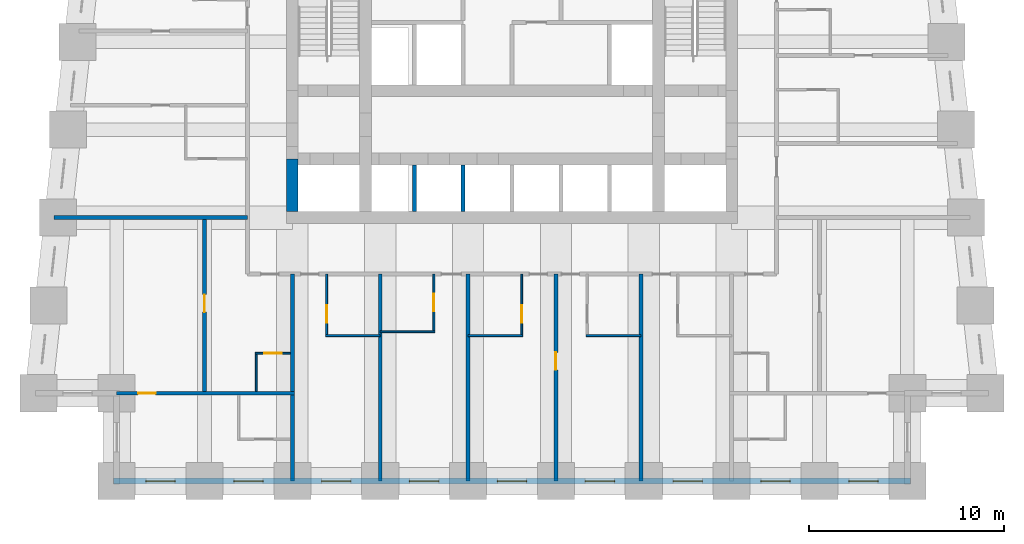
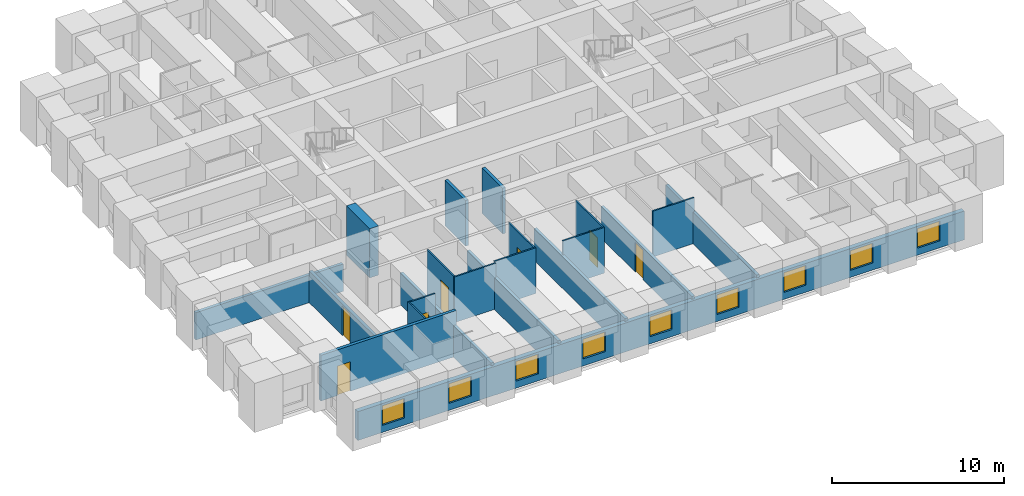
# One storey, part 2 of 8: 21 walls, 9 windows, 7 doors, 16 openings.
"""IFC4 building model written with IfcOpenShell, lengths in metres."""

import ifcopenshell
import ifcopenshell.guid

model = None  # the IFC model being written
_history = None  # IfcOwnerHistory: only IFC2X3 demands one
_inside = {}  # id of a spatial element -> (the spatial element, [elements in it])
_under = {}  # id of a project, library or spatial element -> (it, [spatial elements below it])
_declared = {}  # id of a project -> (the project, [libraries it declares])
_typed = {}  # id of a type object -> (the type object, [elements of that type])
_made_of = {}  # id of a material, layer set ... -> (it, [elements and type objects made of it])


def new_model(schema):
    """Start an empty IFC model of exactly this schema.

    Asked for "IFC4X3", IfcOpenShell would pick the latest addendum, in which some entities
    have other attributes; the version numbers below select the first issue.
    IFC2X3 requires an IfcOwnerHistory on every rooted entity: one is made here for all.
    """
    global model, _history
    if schema == "IFC4X3":
        model = ifcopenshell.file(schema_version=(4, 3, 0, 0))
    else:
        model = ifcopenshell.file(schema=schema)
    _inside.clear()
    _under.clear()
    _declared.clear()
    _typed.clear()
    _made_of.clear()
    _history = None
    if model.schema == "IFC2X3":
        org = make("IfcOrganization", Name="unknown")
        user = make(
            "IfcPersonAndOrganization",
            ThePerson=make("IfcPerson", FamilyName="unknown"),
            TheOrganization=org,
        )
        app = make(
            "IfcApplication",
            ApplicationDeveloper=org,
            Version="unknown",
            ApplicationFullName="unknown",
            ApplicationIdentifier="unknown",
        )
        _history = make(
            "IfcOwnerHistory",
            OwningUser=user,
            OwningApplication=app,
            ChangeAction="ADDED",
            CreationDate=0,
        )
    return model


def make(cls, **values):
    """One entity of the class cls with the attributes given. An attribute that is None is left unset."""
    return model.create_entity(
        cls, **{name: value for name, value in values.items() if value is not None}
    )


def rooted(cls, **values):
    """An entity with a GlobalId (a new one), such as an element, a storey or a relation."""
    return make(cls, GlobalId=ifcopenshell.guid.new(), OwnerHistory=_history, **values)


def si_unit(unit_type, name, prefix=None):
    """IfcSIUnit, for example si_unit("LENGTHUNIT", "METRE", prefix="MILLI")."""
    return make("IfcSIUnit", UnitType=unit_type, Prefix=prefix, Name=name)


def assignment(units):
    """IfcUnitAssignment: the units of a project."""
    return None if units is None else make("IfcUnitAssignment", Units=units)


def point(xyz):
    """IfcCartesianPoint."""
    return None if xyz is None else make("IfcCartesianPoint", Coordinates=xyz)


def direction(xyz):
    """IfcDirection."""
    return None if xyz is None else make("IfcDirection", DirectionRatios=xyz)


def frame(location, z_axis=None, x_axis=None):
    """IfcAxis2Placement3D, a coordinate frame: its origin and axes. An axis left out is left unset."""
    return make(
        "IfcAxis2Placement3D",
        Location=point(location),
        Axis=direction(z_axis),
        RefDirection=direction(x_axis),
    )


def frame_2d(location, x_axis=None):
    """IfcAxis2Placement2D, a coordinate frame in the plane: its origin and x axis."""
    return make(
        "IfcAxis2Placement2D", Location=point(location), RefDirection=direction(x_axis)
    )


def origin():
    """The frame at (0, 0, 0) with its axes left unset."""
    return frame((0.0, 0.0, 0.0))


def place(relative_to, where):
    """IfcLocalPlacement: puts the frame where relative to a parent placement (None: the world)."""
    return make(
        "IfcLocalPlacement", PlacementRelTo=relative_to, RelativePlacement=where
    )


def context(
    kind, dimensions, precision=None, world=None, true_north=None, identifier=None
):
    """IfcGeometricRepresentationContext, for example the 3D "Model" context."""
    return make(
        "IfcGeometricRepresentationContext",
        ContextIdentifier=identifier,
        ContextType=kind,
        CoordinateSpaceDimension=dimensions,
        Precision=precision,
        WorldCoordinateSystem=world,
        TrueNorth=true_north,
    )


def subcontext(parent, identifier, kind, view, scale=None):
    """IfcGeometricRepresentationSubContext, for example "Body" below "Model"."""
    return make(
        "IfcGeometricRepresentationSubContext",
        ContextIdentifier=identifier,
        ContextType=kind,
        ParentContext=parent,
        TargetScale=scale,
        TargetView=view,
    )


def project(units=None, contexts=None):
    """IfcProject with its units and contexts."""
    return rooted(
        "IfcProject",
        Name="project",
        RepresentationContexts=contexts,
        UnitsInContext=assignment(units),
    )


def spatial(cls, under=None, at=None, **own):
    """A site, building, storey or space (cls), placed at a placement, below another one or the project."""
    s = rooted(cls, ObjectPlacement=at, **own)
    if under is not None:
        _under.setdefault(under.id(), (under, []))[1].append(s)
    return s


def profile(cls, at=None, kind="AREA", **sizes):
    """A parametric profile (cls). Its sizes go by their IFC names, for example OverallWidth=200.0."""
    return make(cls, ProfileType=kind, Position=at, **sizes)


def rectangle(**sizes):
    """IfcRectangleProfileDef."""
    return profile("IfcRectangleProfileDef", **sizes)


def extrude(swept, where, along, depth):
    """IfcExtrudedAreaSolid: the profile swept, set in the frame where, extruded along a direction by depth."""
    return make(
        "IfcExtrudedAreaSolid",
        SweptArea=swept,
        Position=where,
        ExtrudedDirection=direction(along),
        Depth=depth,
    )


def shape(context_of_items, identifier, shape_type, items):
    """IfcShapeRepresentation: the items that make up one representation, for example the "Body"."""
    return make(
        "IfcShapeRepresentation",
        ContextOfItems=context_of_items,
        RepresentationIdentifier=identifier,
        RepresentationType=shape_type,
        Items=items,
    )


def material(Name=None, Category=None):
    """IfcMaterial."""
    return make("IfcMaterial", Name=Name, Category=Category)


def layer(
    of_material, thickness, ventilated=None, Name=None, Category=None, Priority=None
):
    """IfcMaterialLayer: one layer of a wall or slab, of a material (None: an air gap)."""
    return make(
        "IfcMaterialLayer",
        Material=of_material,
        LayerThickness=thickness,
        IsVentilated=ventilated,
        Name=Name,
        Category=Category,
        Priority=Priority,
    )


def layer_set(layers, Name=None):
    """IfcMaterialLayerSet."""
    return make("IfcMaterialLayerSet", MaterialLayers=layers, LayerSetName=Name)


def made_of(thing, what):
    """Note that an element or type object is made of a material, layer set ...; save() writes the relation."""
    if what is not None:
        _made_of.setdefault(what.id(), (what, []))[1].append(thing)
    return thing


def type_object(cls, material=None, **own):
    """A type object (cls), such as IfcWallType, which elements share."""
    return made_of(rooted(cls, **own), material)


def element(
    cls,
    number,
    at=None,
    inside=None,
    cuts=None,
    type_object=None,
    material=None,
    context=None,
    identifier="Body",
    shape_type=None,
    held_by="IfcProductDefinitionShape",
    body=None,
    shapes=None,
    **own,
):
    """One element of the class cls, such as IfcWall. Its Tag is "e" and its number.

    at: its placement. inside: the storey or other place that contains it. cuts: it is an
    opening in that element (IfcRelVoidsElement). A single representation is given by context,
    identifier, shape_type and body (its items); several are given by shapes. held_by: the class
    of the entity that holds the representations. save() writes the other relations.
    """
    e = rooted(cls, Tag="e%d" % number, ObjectPlacement=at, **own)
    if body is not None:
        shapes = [shape(context, identifier, shape_type, body)]
    if shapes is not None:
        e.Representation = make(held_by, Representations=shapes)
    if inside is not None:
        _inside.setdefault(inside.id(), (inside, []))[1].append(e)
    if cuts is not None:
        rooted(
            "IfcRelVoidsElement", RelatingBuildingElement=cuts, RelatedOpeningElement=e
        )
    if type_object is not None:
        _typed.setdefault(type_object.id(), (type_object, []))[1].append(e)
    return made_of(e, material)


def fill(opening, filler):
    """IfcRelFillsElement: the door or window that sits in an opening."""
    return rooted(
        "IfcRelFillsElement",
        RelatingOpeningElement=opening,
        RelatedBuildingElement=filler,
    )


def aggregate(whole, parts):
    """IfcRelAggregates: a whole, such as a stair, and the parts it consists of."""
    return rooted("IfcRelAggregates", RelatingObject=whole, RelatedObjects=parts)


def save(model, path):
    """Write the relations noted so far, then the file.

    IfcRelAggregates (storeys below a building ...), IfcRelContainedInSpatialStructure (elements
    in a storey), IfcRelDefinesByType, IfcRelAssociatesMaterial and IfcRelDeclares: one each for
    every whole, place, type object, material and project.
    """
    for whole, parts in _under.values():
        aggregate(whole, parts)
    for where, things in _inside.values():
        rooted(
            "IfcRelContainedInSpatialStructure",
            RelatedElements=things,
            RelatingStructure=where,
        )
    for kind, things in _typed.values():
        rooted("IfcRelDefinesByType", RelatedObjects=things, RelatingType=kind)
    for what, things in _made_of.values():
        rooted("IfcRelAssociatesMaterial", RelatedObjects=things, RelatingMaterial=what)
    for by, libraries in _declared.values():
        rooted("IfcRelDeclares", RelatingContext=by, RelatedDefinitions=libraries)
    model.write(path)


model = new_model("IFC4")

# Units and contexts
model_context = context("Model", 3, precision=1e-05, world=origin(), true_north=direction((0.0, 1.0)))
body_context = subcontext(model_context, "Body", "Model", "MODEL_VIEW")
ifc_project = project(units=[si_unit("LENGTHUNIT", "METRE"), si_unit("AREAUNIT", "SQUARE_METRE"), si_unit("VOLUMEUNIT", "CUBIC_METRE"), si_unit("PLANEANGLEUNIT", "RADIAN"), si_unit("MASSUNIT", "GRAM", prefix="KILO")], contexts=[model_context])

# Site, building, storey
site_placement = place(None, origin())
site = spatial("IfcSite", under=ifc_project, at=site_placement, CompositionType="ELEMENT")
building_placement = place(site_placement, origin())
building = spatial("IfcBuilding", under=site, at=building_placement, Name="Kilele Tower Hotel", CompositionType="ELEMENT")
storey_placement = place(building_placement, frame((0.0, 0.0, 64.699951171875)))
storey = spatial("IfcBuildingStorey", under=building, at=storey_placement, Name="L15", CompositionType="ELEMENT", Elevation=64.699951171875)

# Wall
ifc_material_1 = material(Name="Moisture-resistant board")
ifc_layer_1 = layer(ifc_material_1, 0.10009765625)
ifc_layer_set_1 = layer_set([ifc_layer_1], Name="Moisture-resistant board")
wall_type_1 = type_object("IfcWallType", Name="Bathroom partition 100", PredefinedType="PLUMBINGWALL", material=ifc_layer_set_1)
wall_1_placement = place(storey_placement, frame((15.199951171875, 7.449951171875, 0.0), z_axis=(0.0, 0.0, 1.0), x_axis=(1.0, 0.0, 0.0)))
element("IfcWall", 1, at=wall_1_placement, inside=storey, type_object=wall_type_1, Name="Bathroom partition 100 L15", PredefinedType="PLUMBINGWALL", context=body_context, shape_type="SweptSolid", body=[
    extrude(rectangle(XDim=2.800048828125, YDim=0.10009765625, at=frame_2d((1.39990234375, 0.0))), origin(), (0.0, 0.0, 1.0), 3.25),
])

# Wall, opening, door
wall_2_placement = place(storey_placement, frame((15.25, 10.60009765625, 0.0), z_axis=(0.0, 0.0, 1.0), x_axis=(0.0, -1.0, 0.0)))
wall_2 = element("IfcWall", 2, at=wall_2_placement, inside=storey, type_object=wall_type_1, Name="Bathroom partition 100 L15", PredefinedType="PLUMBINGWALL", context=body_context, shape_type="SweptSolid", body=[
    extrude(rectangle(XDim=3.2001953125, YDim=0.10009765625, at=frame_2d((1.60009765625, 0.0))), origin(), (0.0, 0.0, 1.0), 3.25),
])
opening_1_placement = place(wall_2_placement, frame((2.5, 0.0, 0.0), z_axis=(0.0, 0.0, 1.0), x_axis=(-1.0, 0.0, 0.0)))
opening_1 = element("IfcOpeningElement", 3, at=opening_1_placement, cuts=wall_2, Name="Opening D2A", PredefinedType="OPENING", context=body_context, shape_type="SweptSolid", body=[
    extrude(rectangle(XDim=0.89990234375, YDim=2.10009765625, at=frame_2d((0.449951171875, 1.050048828125))), frame((0.0, 0.06005859375, 0.0), z_axis=(0.0, -1.0, 0.0), x_axis=(1.0, 0.0, 0.0)), (0.0, 0.0, 1.0), 0.1201171875),
])
ifc_material_2 = material(Name="Timber door leaf in hardwood frame", Category="wood")
door_type_1 = type_object("IfcDoorType", Name="Bathroom door 900", OperationType="SINGLE_SWING_LEFT", PredefinedType="DOOR", material=ifc_material_2)
door_1_placement = place(opening_1_placement, origin())
door_1 = element("IfcDoor", 4, at=door_1_placement, inside=storey, type_object=door_type_1, Name="Bathroom door 1501B", OperationType="SINGLE_SWING_LEFT", OverallHeight=2.10009765625, OverallWidth=0.89990234375, PredefinedType="DOOR", context=body_context, shape_type="SweptSolid", body=[
    extrude(rectangle(XDim=0.89990234375, YDim=2.10009765625, at=frame_2d((0.449951171875, 1.050048828125))), frame((0.0, 0.02490234375, 0.0), z_axis=(0.0, -1.0, 0.0), x_axis=(1.0, 0.0, 0.0)), (0.0, 0.0, 1.0), 0.050048828125),
])
fill(opening_1, door_1)

# Wall
wall_3_placement = place(storey_placement, frame((18.0, 7.64990234375, 0.0), z_axis=(0.0, 0.0, 1.0), x_axis=(1.0, 0.0, 0.0)))
element("IfcWall", 5, at=wall_3_placement, inside=storey, type_object=wall_type_1, Name="Bathroom partition 100 L15", PredefinedType="PLUMBINGWALL", context=body_context, shape_type="SweptSolid", body=[
    extrude(rectangle(XDim=2.800048828125, YDim=0.10009765625, at=frame_2d((1.39990234375, 0.0))), origin(), (0.0, 0.0, 1.0), 3.25),
])

# Wall, opening, door
wall_4_placement = place(storey_placement, frame((20.75, 10.60009765625, 0.0), z_axis=(0.0, 0.0, 1.0), x_axis=(0.0, -1.0, 0.0)))
wall_4 = element("IfcWall", 6, at=wall_4_placement, inside=storey, type_object=wall_type_1, Name="Bathroom partition 100 L15", PredefinedType="PLUMBINGWALL", context=body_context, shape_type="SweptSolid", body=[
    extrude(rectangle(XDim=3.0, YDim=0.10009765625, at=frame_2d((1.5, 0.0))), origin(), (0.0, 0.0, 1.0), 3.25),
])
opening_2_placement = place(wall_4_placement, frame((1.0, 0.0, 0.0)))
opening_2 = element("IfcOpeningElement", 7, at=opening_2_placement, cuts=wall_4, Name="Opening D2A", PredefinedType="OPENING", context=body_context, shape_type="SweptSolid", body=[
    extrude(rectangle(XDim=0.89990234375, YDim=2.10009765625, at=frame_2d((0.449951171875, 1.050048828125))), frame((0.0, 0.06005859375, 0.0), z_axis=(0.0, -1.0, 0.0), x_axis=(1.0, 0.0, 0.0)), (0.0, 0.0, 1.0), 0.1201171875),
])
door_2_placement = place(opening_2_placement, origin())
door_2 = element("IfcDoor", 8, at=door_2_placement, inside=storey, type_object=door_type_1, Name="Bathroom door 1502B", OperationType="SINGLE_SWING_LEFT", OverallHeight=2.10009765625, OverallWidth=0.89990234375, PredefinedType="DOOR", context=body_context, shape_type="SweptSolid", body=[
    extrude(rectangle(XDim=0.89990234375, YDim=2.10009765625, at=frame_2d((0.449951171875, 1.050048828125))), frame((0.0, 0.02490234375, 0.0), z_axis=(0.0, -1.0, 0.0), x_axis=(1.0, 0.0, 0.0)), (0.0, 0.0, 1.0), 0.050048828125),
])
fill(opening_2, door_2)

# Wall
wall_5_placement = place(storey_placement, frame((22.5, 7.449951171875, 0.0), z_axis=(0.0, 0.0, 1.0), x_axis=(1.0, 0.0, 0.0)))
element("IfcWall", 9, at=wall_5_placement, inside=storey, type_object=wall_type_1, Name="Bathroom partition 100 L15", PredefinedType="PLUMBINGWALL", context=body_context, shape_type="SweptSolid", body=[
    extrude(rectangle(XDim=2.800048828125, YDim=0.10009765625, at=frame_2d((1.39990234375, 0.0))), origin(), (0.0, 0.0, 1.0), 3.25),
])

# Wall, opening, door
wall_6_placement = place(storey_placement, frame((25.25, 10.60009765625, 0.0), z_axis=(0.0, 0.0, 1.0), x_axis=(0.0, -1.0, 0.0)))
wall_6 = element("IfcWall", 10, at=wall_6_placement, inside=storey, type_object=wall_type_1, Name="Bathroom partition 100 L15", PredefinedType="PLUMBINGWALL", context=body_context, shape_type="SweptSolid", body=[
    extrude(rectangle(XDim=3.2001953125, YDim=0.10009765625, at=frame_2d((1.60009765625, 0.0))), origin(), (0.0, 0.0, 1.0), 3.25),
])
opening_3_placement = place(wall_6_placement, frame((1.60009765625, 0.0, 0.0)))
opening_3 = element("IfcOpeningElement", 11, at=opening_3_placement, cuts=wall_6, Name="Opening D2A", PredefinedType="OPENING", context=body_context, shape_type="SweptSolid", body=[
    extrude(rectangle(XDim=0.89990234375, YDim=2.10009765625, at=frame_2d((0.449951171875, 1.050048828125))), frame((0.0, 0.06005859375, 0.0), z_axis=(0.0, -1.0, 0.0), x_axis=(1.0, 0.0, 0.0)), (0.0, 0.0, 1.0), 0.1201171875),
])
door_3_placement = place(opening_3_placement, origin())
door_3 = element("IfcDoor", 12, at=door_3_placement, inside=storey, type_object=door_type_1, Name="Bathroom door 1503B", OperationType="SINGLE_SWING_RIGHT", OverallHeight=2.10009765625, OverallWidth=0.89990234375, PredefinedType="DOOR", context=body_context, shape_type="SweptSolid", body=[
    extrude(rectangle(XDim=0.89990234375, YDim=2.10009765625, at=frame_2d((0.449951171875, 1.050048828125))), frame((0.0, 0.02490234375, 0.0), z_axis=(0.0, -1.0, 0.0), x_axis=(1.0, 0.0, 0.0)), (0.0, 0.0, 1.0), 0.050048828125),
])
fill(opening_3, door_3)

# Walls
wall_7_placement = place(storey_placement, frame((28.550048828125, 7.449951171875, 0.0), z_axis=(0.0, 0.0, 1.0), x_axis=(1.0, 0.0, 0.0)))
element("IfcWall", 13, at=wall_7_placement, inside=storey, type_object=wall_type_1, Name="Bathroom partition 100 L15", PredefinedType="PLUMBINGWALL", context=body_context, shape_type="SweptSolid", body=[
    extrude(rectangle(XDim=2.800048828125, YDim=0.10009765625, at=frame_2d((1.39990234375, 0.0))), origin(), (0.0, 0.0, 1.0), 3.25),
])
wall_8_placement = place(storey_placement, frame((11.64990234375, 4.60009765625, 0.0), z_axis=(0.0, 0.0, 1.0), x_axis=(0.0, 1.0, 0.0)))
element("IfcWall", 14, at=wall_8_placement, inside=storey, type_object=wall_type_1, Name="Bathroom partition 100 L15", PredefinedType="PLUMBINGWALL", context=body_context, shape_type="SweptSolid", body=[
    extrude(rectangle(XDim=2.0, YDim=0.10009765625, at=frame_2d((1.0, 0.0))), origin(), (0.0, 0.0, 1.0), 3.25),
])

# Wall, opening, door
wall_9_placement = place(storey_placement, frame((13.39990234375, 6.550048828125, 0.0), z_axis=(0.0, 0.0, 1.0), x_axis=(-1.0, 0.0, 0.0)))
wall_9 = element("IfcWall", 15, at=wall_9_placement, inside=storey, type_object=wall_type_1, Name="Bathroom partition 100 L15", PredefinedType="PLUMBINGWALL", context=body_context, shape_type="SweptSolid", body=[
    extrude(rectangle(XDim=1.7998046875, YDim=0.10009765625, at=frame_2d((0.89990234375, 0.0))), origin(), (0.0, 0.0, 1.0), 3.25),
])
opening_4_placement = place(wall_9_placement, frame((1.349853515625, 0.0, 0.0), z_axis=(0.0, 0.0, 1.0), x_axis=(-1.0, 0.0, 0.0)))
opening_4 = element("IfcOpeningElement", 16, at=opening_4_placement, cuts=wall_9, Name="Opening D2A", PredefinedType="OPENING", context=body_context, shape_type="SweptSolid", body=[
    extrude(rectangle(XDim=0.89990234375, YDim=2.10009765625, at=frame_2d((0.449951171875, 1.050048828125))), frame((0.0, 0.06005859375, 0.0), z_axis=(0.0, -1.0, 0.0), x_axis=(1.0, 0.0, 0.0)), (0.0, 0.0, 1.0), 0.1201171875),
])
door_4_placement = place(opening_4_placement, origin())
door_4 = element("IfcDoor", 17, at=door_4_placement, inside=storey, type_object=door_type_1, Name="Bathroom door 1517P", OperationType="SINGLE_SWING_RIGHT", OverallHeight=2.10009765625, OverallWidth=0.89990234375, PredefinedType="DOOR", context=body_context, shape_type="SweptSolid", body=[
    extrude(rectangle(XDim=0.89990234375, YDim=2.10009765625, at=frame_2d((0.449951171875, 1.050048828125))), frame((0.0, 0.02490234375, 0.0), z_axis=(0.0, -1.0, 0.0), x_axis=(1.0, 0.0, 0.0)), (0.0, 0.0, 1.0), 0.050048828125),
])
fill(opening_4, door_4)

# Wall
ifc_material_3 = material(Name="Concrete C60/75", Category="concrete")
ifc_layer_2 = layer(ifc_material_3, 0.60009765625)
ifc_layer_set_2 = layer_set([ifc_layer_2], Name="Concrete C60/75")
wall_type_2 = type_object("IfcWallType", Name="Core wall 600 C60/75", PredefinedType="SHEAR", material=ifc_layer_set_2)
wall_10_placement = place(storey_placement, frame((13.5, 16.5, 0.0), z_axis=(0.0, 0.0, 1.0), x_axis=(0.0, -1.0, 0.0)))
element("IfcWall", 18, at=wall_10_placement, inside=storey, type_object=wall_type_2, Name="Core wall W3 L15", PredefinedType="SHEAR", context=body_context, shape_type="SweptSolid", body=[
    extrude(rectangle(XDim=2.699951171875, YDim=0.60009765625, at=frame_2d((1.35009765625, 0.0))), origin(), (0.0, 0.0, 1.0), 3.5),
])

# Wall, opening, door
ifc_material_4 = material(Name="Blockwork, plastered both sides", Category="masonry")
ifc_layer_3 = layer(ifc_material_4, 0.199951171875)
ifc_layer_set_3 = layer_set([ifc_layer_3], Name="Blockwork, plastered both sides")
wall_type_3 = type_object("IfcWallType", Name="Partition wall 200", PredefinedType="PARTITIONING", material=ifc_layer_set_3)
wall_11_placement = place(storey_placement, frame((9.0, 4.60009765625, 0.0), z_axis=(0.0, 0.0, 1.0), x_axis=(0.0, 1.0, 0.0)))
wall_11 = element("IfcWall", 19, at=wall_11_placement, inside=storey, type_object=wall_type_3, Name="Partition wall 200 L15", PredefinedType="PARTITIONING", context=body_context, shape_type="SweptSolid", body=[
    extrude(rectangle(XDim=8.7998046875, YDim=0.199951171875, at=frame_2d((4.39990234375, 0.0))), origin(), (0.0, 0.0, 1.0), 2.25),
])
opening_5_placement = place(wall_11_placement, frame((4.050048828125, 0.0, 0.0)))
opening_5 = element("IfcOpeningElement", 20, at=opening_5_placement, cuts=wall_11, Name="Opening D3", PredefinedType="OPENING", context=body_context, shape_type="SweptSolid", body=[
    extrude(rectangle(XDim=0.89990234375, YDim=2.10009765625, at=frame_2d((0.449951171875, 1.050048828125))), frame((0.0, 0.10986328125, 0.0), z_axis=(0.0, -1.0, 0.0), x_axis=(1.0, 0.0, 0.0)), (0.0, 0.0, 1.0), 0.219970703125),
])
ifc_material_5 = material(Name="Timber door leaf in hardwood frame", Category="wood")
door_type_2 = type_object("IfcDoorType", Name="Suite internal door 900", OperationType="SINGLE_SWING_LEFT", PredefinedType="DOOR", material=ifc_material_5)
door_5_placement = place(opening_5_placement, origin())
door_5 = element("IfcDoor", 21, at=door_5_placement, inside=storey, type_object=door_type_2, Name="Suite door 1518", OperationType="SINGLE_SWING_RIGHT", OverallHeight=2.10009765625, OverallWidth=0.89990234375, PredefinedType="DOOR", context=body_context, shape_type="SweptSolid", body=[
    extrude(rectangle(XDim=0.89990234375, YDim=2.10009765625, at=frame_2d((0.449951171875, 1.050048828125))), frame((0.0, 0.02490234375, 0.0), z_axis=(0.0, -1.0, 0.0), x_axis=(1.0, 0.0, 0.0)), (0.0, 0.0, 1.0), 0.050048828125),
])
fill(opening_5, door_5)

# Walls
ifc_material_6 = material(Name="Blockwork, plastered both sides", Category="masonry")
ifc_layer_4 = layer(ifc_material_6, 0.199951171875)
ifc_layer_set_4 = layer_set([ifc_layer_4], Name="Blockwork, plastered both sides")
wall_type_4 = type_object("IfcWallType", Name="Party wall 200", PredefinedType="PARTITIONING", material=ifc_layer_set_4)
for number, where, z_axis, x_axis, name in (
    (22, (18.0, 10.60009765625, 0.0), (0.0, 0.0, 1.0), (0.0, -1.0, 0.0), "Party wall 200 L15"),
    (23, (22.5, 10.60009765625, 0.0), (0.0, 0.0, 1.0), (0.0, -1.0, 0.0), "Party wall 200 L15"),
):
    element("IfcWall", number, at=place(storey_placement, frame(where, z_axis=z_axis, x_axis=x_axis)), inside=storey, type_object=wall_type_4, Name=name, PredefinedType="PARTITIONING", context=body_context, shape_type="SweptSolid", body=[
        extrude(rectangle(XDim=10.60009765625, YDim=0.199951171875, at=frame_2d((5.300048828125, 0.0))), origin(), (0.0, 0.0, 1.0), 2.25),
    ])

# Wall, opening, door
wall_12_placement = place(storey_placement, frame((27.0, 10.60009765625, 0.0), z_axis=(0.0, 0.0, 1.0), x_axis=(0.0, -1.0, 0.0)))
wall_12 = element("IfcWall", 24, at=wall_12_placement, inside=storey, type_object=wall_type_4, Name="Party wall 200 L15", PredefinedType="PARTITIONING", context=body_context, shape_type="SweptSolid", body=[
    extrude(rectangle(XDim=10.60009765625, YDim=0.199951171875, at=frame_2d((5.300048828125, 0.0))), origin(), (0.0, 0.0, 1.0), 2.25),
])
opening_6_placement = place(wall_12_placement, frame((4.0, 0.0, 0.0)))
opening_6 = element("IfcOpeningElement", 25, at=opening_6_placement, cuts=wall_12, Name="Opening D3C", PredefinedType="OPENING", context=body_context, shape_type="SweptSolid", body=[
    extrude(rectangle(XDim=0.89990234375, YDim=2.10009765625, at=frame_2d((0.449951171875, 1.050048828125))), frame((0.0, 0.10986328125, 0.0), z_axis=(0.0, -1.0, 0.0), x_axis=(1.0, 0.0, 0.0)), (0.0, 0.0, 1.0), 0.219970703125),
])
ifc_material_7 = material(Name="Timber door leaf in hardwood frame", Category="wood")
door_type_3 = type_object("IfcDoorType", Name="Connecting door 900", OperationType="SINGLE_SWING_LEFT", PredefinedType="DOOR", material=ifc_material_7)
door_6_placement = place(opening_6_placement, origin())
door_6 = element("IfcDoor", 26, at=door_6_placement, inside=storey, type_object=door_type_3, Name="Connecting door 1504", OperationType="SINGLE_SWING_LEFT", OverallHeight=2.10009765625, OverallWidth=0.89990234375, PredefinedType="DOOR", context=body_context, shape_type="SweptSolid", body=[
    extrude(rectangle(XDim=0.89990234375, YDim=2.10009765625, at=frame_2d((0.449951171875, 1.050048828125))), frame((0.0, 0.02490234375, 0.0), z_axis=(0.0, -1.0, 0.0), x_axis=(1.0, 0.0, 0.0)), (0.0, 0.0, 1.0), 0.050048828125),
])
fill(opening_6, door_6)

# Walls
wall_13_placement = place(storey_placement, frame((31.35009765625, 10.60009765625, 0.0), z_axis=(0.0, 0.0, 1.0), x_axis=(0.0, -1.0, 0.0)))
element("IfcWall", 27, at=wall_13_placement, inside=storey, type_object=wall_type_4, Name="Party wall 200 L15", PredefinedType="PARTITIONING", context=body_context, shape_type="SweptSolid", body=[
    extrude(rectangle(XDim=10.60009765625, YDim=0.199951171875, at=frame_2d((5.300048828125, 0.0))), origin(), (0.0, 0.0, 1.0), 2.25),
])
wall_14_placement = place(storey_placement, frame((11.199951171875, 13.5, 0.0), z_axis=(0.0, 0.0, 1.0), x_axis=(-1.0, 0.0, 0.0)))
element("IfcWall", 28, at=wall_14_placement, inside=storey, type_object=wall_type_4, Name="Party wall 200 L15", PredefinedType="PARTITIONING", context=body_context, shape_type="SweptSolid", body=[
    extrude(rectangle(XDim=9.921142578125, YDim=0.199951171875, at=frame_2d((4.96044921875, 0.0))), origin(), (0.0, 0.0, 1.0), 1.949951171875),
])
wall_15_placement = place(storey_placement, frame((13.5, 10.60009765625, 0.0), z_axis=(0.0, 0.0, 1.0), x_axis=(0.0, -1.0, 0.0)))
element("IfcWall", 29, at=wall_15_placement, inside=storey, type_object=wall_type_4, Name="Party wall 200 L15", PredefinedType="PARTITIONING", context=body_context, shape_type="SweptSolid", body=[
    extrude(rectangle(XDim=10.60009765625, YDim=0.199951171875, at=frame_2d((5.300048828125, 0.0))), origin(), (0.0, 0.0, 1.0), 2.25),
])

# Wall, opening, door
wall_16_placement = place(storey_placement, frame((13.60009765625, 4.5, 0.0), z_axis=(0.0, 0.0, 1.0), x_axis=(-1.0, 0.0, 0.0)))
wall_16 = element("IfcWall", 30, at=wall_16_placement, inside=storey, type_object=wall_type_4, Name="Party wall 200 L15", PredefinedType="PARTITIONING", context=body_context, shape_type="SweptSolid", body=[
    extrude(rectangle(XDim=9.10009765625, YDim=0.199951171875, at=frame_2d((4.550048828125, 0.0))), origin(), (0.0, 0.0, 1.0), 3.25),
])
opening_7_placement = place(wall_16_placement, frame((7.10009765625, 0.0, 0.0)))
opening_7 = element("IfcOpeningElement", 31, at=opening_7_placement, cuts=wall_16, Name="Opening D3", PredefinedType="OPENING", context=body_context, shape_type="SweptSolid", body=[
    extrude(rectangle(XDim=0.89990234375, YDim=2.10009765625, at=frame_2d((0.449951171875, 1.050048828125))), frame((0.0, 0.10986328125, 0.0), z_axis=(0.0, -1.0, 0.0), x_axis=(1.0, 0.0, 0.0)), (0.0, 0.0, 1.0), 0.219970703125),
])
door_7_placement = place(opening_7_placement, origin())
door_7 = element("IfcDoor", 32, at=door_7_placement, inside=storey, type_object=door_type_2, Name="Suite door 1519", OperationType="SINGLE_SWING_RIGHT", OverallHeight=2.10009765625, OverallWidth=0.89990234375, PredefinedType="DOOR", context=body_context, shape_type="SweptSolid", body=[
    extrude(rectangle(XDim=0.89990234375, YDim=2.10009765625, at=frame_2d((0.449951171875, 1.050048828125))), frame((0.0, 0.02490234375, 0.0), z_axis=(0.0, -1.0, 0.0), x_axis=(1.0, 0.0, 0.0)), (0.0, 0.0, 1.0), 0.050048828125),
])
fill(opening_7, door_7)

# Wall, openings, windows
ifc_material_8 = material(Name="Concrete C40/50 precast", Category="concrete")
ifc_layer_5 = layer(ifc_material_8, 0.260009765625, Name="Precast backing", Category="LoadBearing")
ifc_material_9 = material(Name="Reconstituted stone finish", Category="masonry")
ifc_layer_6 = layer(ifc_material_9, 0.0400390625, Name="Face mix", Category="Finish")
ifc_layer_set_5 = layer_set([ifc_layer_5, ifc_layer_6], Name="Precast concrete C40/50, reconstituted stone finish")
wall_type_5 = type_object("IfcWallType", Name="Precast stone facade wall 300", PredefinedType="STANDARD", material=ifc_layer_set_5)
wall_17_placement = place(storey_placement, frame((4.35009765625, 0.0, 0.0), z_axis=(0.0, 0.0, 1.0), x_axis=(1.0, 0.0, 0.0)))
wall_17 = element("IfcWall", 33, at=wall_17_placement, inside=storey, type_object=wall_type_5, Name="Facade wall L15 edge 3", PredefinedType="STANDARD", context=body_context, shape_type="SweptSolid", body=[
    extrude(rectangle(XDim=40.7998046875, YDim=0.300048828125, at=frame_2d((20.39990234375, 0.0))), origin(), (0.0, 0.0, 1.0), 2.050048828125),
])
opening_8_placement = place(wall_17_placement, frame((1.64990234375, 0.0, 0.5)))
opening_8 = element("IfcOpeningElement", 34, at=opening_8_placement, cuts=wall_17, Name="Opening W1", PredefinedType="OPENING", context=body_context, shape_type="SweptSolid", body=[
    extrude(rectangle(XDim=1.5, YDim=1.39990234375, at=frame_2d((0.75, 0.699951171875))), frame((0.0, 0.159912109375, 0.0), z_axis=(0.0, -1.0, 0.0), x_axis=(1.0, 0.0, 0.0)), (0.0, 0.0, 1.0), 0.320068359375),
])
opening_9_placement = place(wall_17_placement, frame((6.14990234375, 0.0, 0.5)))
opening_9 = element("IfcOpeningElement", 35, at=opening_9_placement, cuts=wall_17, Name="Opening W1", PredefinedType="OPENING", context=body_context, shape_type="SweptSolid", body=[
    extrude(rectangle(XDim=1.5, YDim=1.39990234375, at=frame_2d((0.75, 0.699951171875))), frame((0.0, 0.159912109375, 0.0), z_axis=(0.0, -1.0, 0.0), x_axis=(1.0, 0.0, 0.0)), (0.0, 0.0, 1.0), 0.320068359375),
])
opening_10_placement = place(wall_17_placement, frame((10.64990234375, 0.0, 0.5)))
opening_10 = element("IfcOpeningElement", 36, at=opening_10_placement, cuts=wall_17, Name="Opening W1", PredefinedType="OPENING", context=body_context, shape_type="SweptSolid", body=[
    extrude(rectangle(XDim=1.5, YDim=1.39990234375, at=frame_2d((0.75, 0.699951171875))), frame((0.0, 0.159912109375, 0.0), z_axis=(0.0, -1.0, 0.0), x_axis=(1.0, 0.0, 0.0)), (0.0, 0.0, 1.0), 0.320068359375),
])
opening_11_placement = place(wall_17_placement, frame((15.14990234375, 0.0, 0.5)))
opening_11 = element("IfcOpeningElement", 37, at=opening_11_placement, cuts=wall_17, Name="Opening W1", PredefinedType="OPENING", context=body_context, shape_type="SweptSolid", body=[
    extrude(rectangle(XDim=1.5, YDim=1.39990234375, at=frame_2d((0.75, 0.699951171875))), frame((0.0, 0.159912109375, 0.0), z_axis=(0.0, -1.0, 0.0), x_axis=(1.0, 0.0, 0.0)), (0.0, 0.0, 1.0), 0.320068359375),
])
opening_12_placement = place(wall_17_placement, frame((19.64990234375, 0.0, 0.5)))
opening_12 = element("IfcOpeningElement", 38, at=opening_12_placement, cuts=wall_17, Name="Opening W1", PredefinedType="OPENING", context=body_context, shape_type="SweptSolid", body=[
    extrude(rectangle(XDim=1.5, YDim=1.39990234375, at=frame_2d((0.75, 0.699951171875))), frame((0.0, 0.159912109375, 0.0), z_axis=(0.0, -1.0, 0.0), x_axis=(1.0, 0.0, 0.0)), (0.0, 0.0, 1.0), 0.320068359375),
])
opening_13_placement = place(wall_17_placement, frame((24.14990234375, 0.0, 0.5)))
opening_13 = element("IfcOpeningElement", 39, at=opening_13_placement, cuts=wall_17, Name="Opening W1", PredefinedType="OPENING", context=body_context, shape_type="SweptSolid", body=[
    extrude(rectangle(XDim=1.5, YDim=1.39990234375, at=frame_2d((0.75, 0.699951171875))), frame((0.0, 0.159912109375, 0.0), z_axis=(0.0, -1.0, 0.0), x_axis=(1.0, 0.0, 0.0)), (0.0, 0.0, 1.0), 0.320068359375),
])
opening_14_placement = place(wall_17_placement, frame((28.64990234375, 0.0, 0.5)))
opening_14 = element("IfcOpeningElement", 40, at=opening_14_placement, cuts=wall_17, Name="Opening W1", PredefinedType="OPENING", context=body_context, shape_type="SweptSolid", body=[
    extrude(rectangle(XDim=1.5, YDim=1.39990234375, at=frame_2d((0.75, 0.699951171875))), frame((0.0, 0.159912109375, 0.0), z_axis=(0.0, -1.0, 0.0), x_axis=(1.0, 0.0, 0.0)), (0.0, 0.0, 1.0), 0.320068359375),
])
opening_15_placement = place(wall_17_placement, frame((33.14990234375, 0.0, 0.5)))
opening_15 = element("IfcOpeningElement", 41, at=opening_15_placement, cuts=wall_17, Name="Opening W1", PredefinedType="OPENING", context=body_context, shape_type="SweptSolid", body=[
    extrude(rectangle(XDim=1.5, YDim=1.39990234375, at=frame_2d((0.75, 0.699951171875))), frame((0.0, 0.159912109375, 0.0), z_axis=(0.0, -1.0, 0.0), x_axis=(1.0, 0.0, 0.0)), (0.0, 0.0, 1.0), 0.320068359375),
])
opening_16_placement = place(wall_17_placement, frame((37.64990234375, 0.0, 0.5)))
opening_16 = element("IfcOpeningElement", 42, at=opening_16_placement, cuts=wall_17, Name="Opening W1", PredefinedType="OPENING", context=body_context, shape_type="SweptSolid", body=[
    extrude(rectangle(XDim=1.5, YDim=1.39990234375, at=frame_2d((0.75, 0.699951171875))), frame((0.0, 0.159912109375, 0.0), z_axis=(0.0, -1.0, 0.0), x_axis=(1.0, 0.0, 0.0)), (0.0, 0.0, 1.0), 0.320068359375),
])
ifc_material_10 = material(Name="Aluminium frame, clear double glazing", Category="aluminium")
window_type = type_object("IfcWindowType", Name="Window W1 1500 x 1400", PartitioningType="SINGLE_PANEL", PredefinedType="WINDOW", material=ifc_material_10)
window_1_placement = place(opening_8_placement, origin())
window_1 = element("IfcWindow", 43, at=window_1_placement, inside=storey, type_object=window_type, Name="Window L15", OverallHeight=1.39990234375, OverallWidth=1.5, PartitioningType="SINGLE_PANEL", PredefinedType="WINDOW", context=body_context, shape_type="SweptSolid", body=[
    extrude(rectangle(XDim=1.5, YDim=1.39990234375, at=frame_2d((0.75, 0.699951171875))), frame((0.0, 0.030029296875, 0.0), z_axis=(0.0, -1.0, 0.0), x_axis=(1.0, 0.0, 0.0)), (0.0, 0.0, 1.0), 0.06005859375),
])
fill(opening_8, window_1)
window_2_placement = place(opening_9_placement, origin())
window_2 = element("IfcWindow", 44, at=window_2_placement, inside=storey, type_object=window_type, Name="Window L15", OverallHeight=1.39990234375, OverallWidth=1.5, PartitioningType="SINGLE_PANEL", PredefinedType="WINDOW", context=body_context, shape_type="SweptSolid", body=[
    extrude(rectangle(XDim=1.5, YDim=1.39990234375, at=frame_2d((0.75, 0.699951171875))), frame((0.0, 0.030029296875, 0.0), z_axis=(0.0, -1.0, 0.0), x_axis=(1.0, 0.0, 0.0)), (0.0, 0.0, 1.0), 0.06005859375),
])
fill(opening_9, window_2)
window_3_placement = place(opening_10_placement, origin())
window_3 = element("IfcWindow", 45, at=window_3_placement, inside=storey, type_object=window_type, Name="Window L15", OverallHeight=1.39990234375, OverallWidth=1.5, PartitioningType="SINGLE_PANEL", PredefinedType="WINDOW", context=body_context, shape_type="SweptSolid", body=[
    extrude(rectangle(XDim=1.5, YDim=1.39990234375, at=frame_2d((0.75, 0.699951171875))), frame((0.0, 0.030029296875, 0.0), z_axis=(0.0, -1.0, 0.0), x_axis=(1.0, 0.0, 0.0)), (0.0, 0.0, 1.0), 0.06005859375),
])
fill(opening_10, window_3)
window_4_placement = place(opening_11_placement, origin())
window_4 = element("IfcWindow", 46, at=window_4_placement, inside=storey, type_object=window_type, Name="Window L15", OverallHeight=1.39990234375, OverallWidth=1.5, PartitioningType="SINGLE_PANEL", PredefinedType="WINDOW", context=body_context, shape_type="SweptSolid", body=[
    extrude(rectangle(XDim=1.5, YDim=1.39990234375, at=frame_2d((0.75, 0.699951171875))), frame((0.0, 0.030029296875, 0.0), z_axis=(0.0, -1.0, 0.0), x_axis=(1.0, 0.0, 0.0)), (0.0, 0.0, 1.0), 0.06005859375),
])
fill(opening_11, window_4)
window_5_placement = place(opening_12_placement, origin())
window_5 = element("IfcWindow", 47, at=window_5_placement, inside=storey, type_object=window_type, Name="Window L15", OverallHeight=1.39990234375, OverallWidth=1.5, PartitioningType="SINGLE_PANEL", PredefinedType="WINDOW", context=body_context, shape_type="SweptSolid", body=[
    extrude(rectangle(XDim=1.5, YDim=1.39990234375, at=frame_2d((0.75, 0.699951171875))), frame((0.0, 0.030029296875, 0.0), z_axis=(0.0, -1.0, 0.0), x_axis=(1.0, 0.0, 0.0)), (0.0, 0.0, 1.0), 0.06005859375),
])
fill(opening_12, window_5)
window_6_placement = place(opening_13_placement, origin())
window_6 = element("IfcWindow", 48, at=window_6_placement, inside=storey, type_object=window_type, Name="Window L15", OverallHeight=1.39990234375, OverallWidth=1.5, PartitioningType="SINGLE_PANEL", PredefinedType="WINDOW", context=body_context, shape_type="SweptSolid", body=[
    extrude(rectangle(XDim=1.5, YDim=1.39990234375, at=frame_2d((0.75, 0.699951171875))), frame((0.0, 0.030029296875, 0.0), z_axis=(0.0, -1.0, 0.0), x_axis=(1.0, 0.0, 0.0)), (0.0, 0.0, 1.0), 0.06005859375),
])
fill(opening_13, window_6)
window_7_placement = place(opening_14_placement, origin())
window_7 = element("IfcWindow", 49, at=window_7_placement, inside=storey, type_object=window_type, Name="Window L15", OverallHeight=1.39990234375, OverallWidth=1.5, PartitioningType="SINGLE_PANEL", PredefinedType="WINDOW", context=body_context, shape_type="SweptSolid", body=[
    extrude(rectangle(XDim=1.5, YDim=1.39990234375, at=frame_2d((0.75, 0.699951171875))), frame((0.0, 0.030029296875, 0.0), z_axis=(0.0, -1.0, 0.0), x_axis=(1.0, 0.0, 0.0)), (0.0, 0.0, 1.0), 0.06005859375),
])
fill(opening_14, window_7)
window_8_placement = place(opening_15_placement, origin())
window_8 = element("IfcWindow", 50, at=window_8_placement, inside=storey, type_object=window_type, Name="Window L15", OverallHeight=1.39990234375, OverallWidth=1.5, PartitioningType="SINGLE_PANEL", PredefinedType="WINDOW", context=body_context, shape_type="SweptSolid", body=[
    extrude(rectangle(XDim=1.5, YDim=1.39990234375, at=frame_2d((0.75, 0.699951171875))), frame((0.0, 0.030029296875, 0.0), z_axis=(0.0, -1.0, 0.0), x_axis=(1.0, 0.0, 0.0)), (0.0, 0.0, 1.0), 0.06005859375),
])
fill(opening_15, window_8)
window_9_placement = place(opening_16_placement, origin())
window_9 = element("IfcWindow", 51, at=window_9_placement, inside=storey, type_object=window_type, Name="Window L15", OverallHeight=1.39990234375, OverallWidth=1.5, PartitioningType="SINGLE_PANEL", PredefinedType="WINDOW", context=body_context, shape_type="SweptSolid", body=[
    extrude(rectangle(XDim=1.5, YDim=1.39990234375, at=frame_2d((0.75, 0.699951171875))), frame((0.0, 0.030029296875, 0.0), z_axis=(0.0, -1.0, 0.0), x_axis=(1.0, 0.0, 0.0)), (0.0, 0.0, 1.0), 0.06005859375),
])
fill(opening_16, window_9)

# Walls
ifc_material_11 = material(Name="Blockwork, fire-rated", Category="masonry")
ifc_layer_7 = layer(ifc_material_11, 0.199951171875)
ifc_layer_set_6 = layer_set([ifc_layer_7], Name="Blockwork, fire-rated")
wall_type_6 = type_object("IfcWallType", Name="Shaft wall 200", PredefinedType="PARTITIONING", material=ifc_layer_set_6)
for number, where, z_axis, x_axis, name in (
    (52, (19.75, 13.800048828125, 0.0), (0.0, 0.0, 1.0), (0.0, 1.0, 0.0), "Shaft wall 200 L15"),
    (53, (22.25, 13.800048828125, 0.0), (0.0, 0.0, 1.0), (0.0, 1.0, 0.0), "Shaft wall 200 L15"),
):
    element("IfcWall", number, at=place(storey_placement, frame(where, z_axis=z_axis, x_axis=x_axis)), inside=storey, type_object=wall_type_6, Name=name, PredefinedType="PARTITIONING", context=body_context, shape_type="SweptSolid", body=[
        extrude(rectangle(XDim=2.39990234375, YDim=0.199951171875, at=frame_2d((1.199951171875, 0.0))), origin(), (0.0, 0.0, 1.0), 3.25),
    ])

save(model, "model.ifc")
